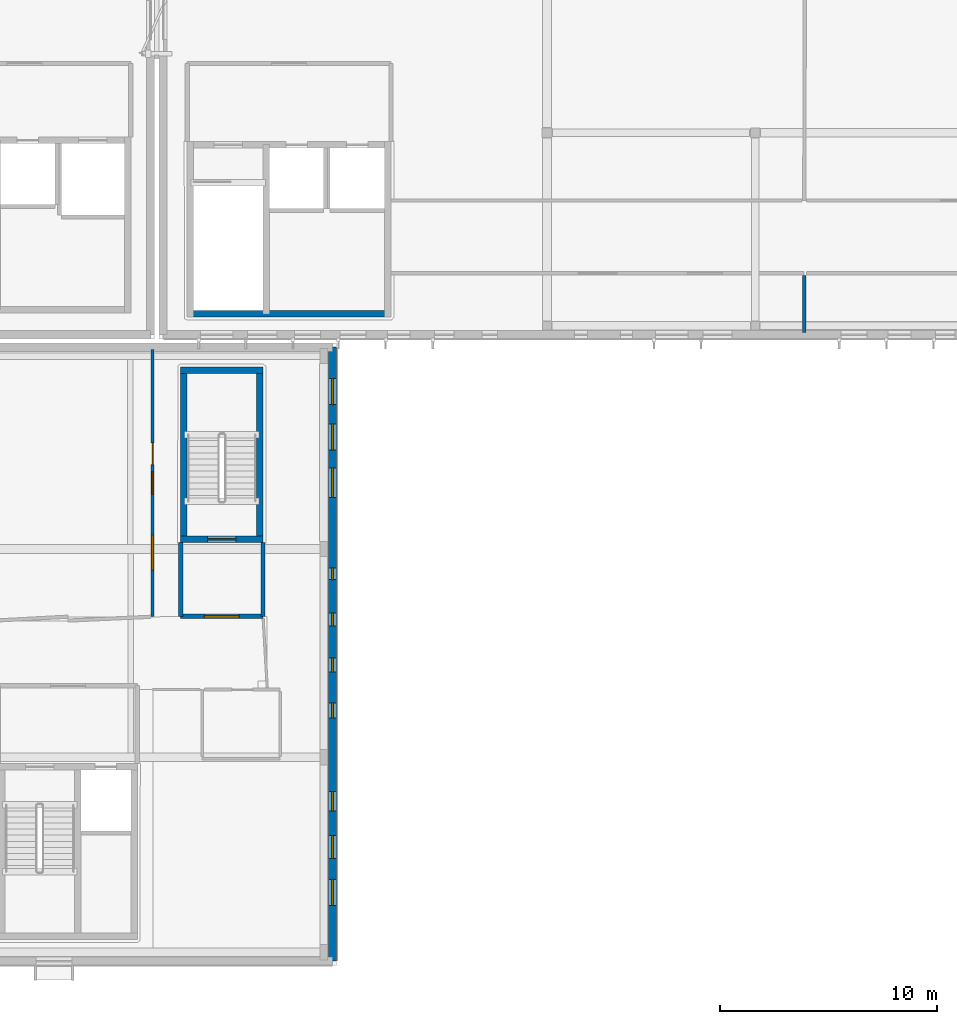
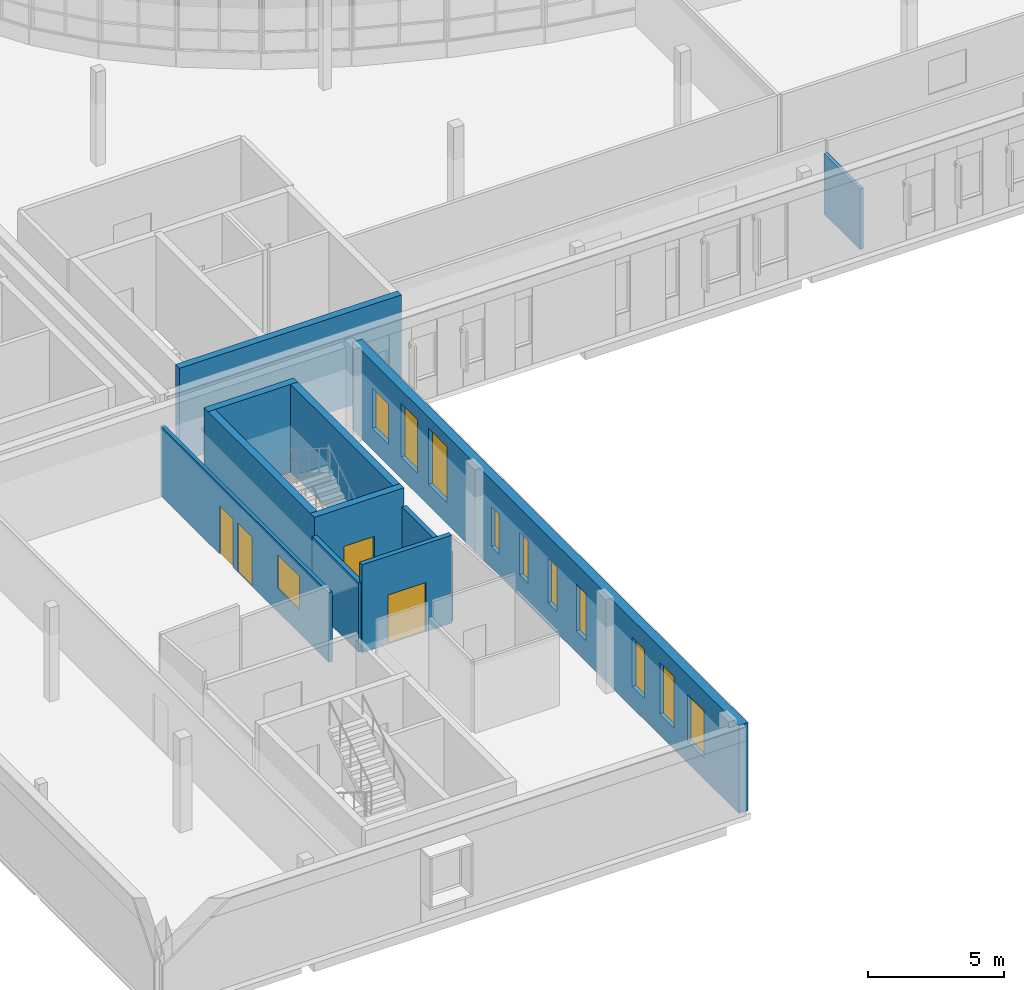
# One storey, part 38 of 73: 11 walls, 11 windows, 4 doors, 15 openings.
"""IFC4 building model written with IfcOpenShell, lengths in metres."""

import ifcopenshell
import ifcopenshell.guid

model = None  # the IFC model being written
_history = None  # IfcOwnerHistory: only IFC2X3 demands one
_inside = {}  # id of a spatial element -> (the spatial element, [elements in it])
_under = {}  # id of a project, library or spatial element -> (it, [spatial elements below it])
_declared = {}  # id of a project -> (the project, [libraries it declares])
_typed = {}  # id of a type object -> (the type object, [elements of that type])
_made_of = {}  # id of a material, layer set ... -> (it, [elements and type objects made of it])


def new_model(schema):
    """Start an empty IFC model of exactly this schema.

    Asked for "IFC4X3", IfcOpenShell would pick the latest addendum, in which some entities
    have other attributes; the version numbers below select the first issue.
    IFC2X3 requires an IfcOwnerHistory on every rooted entity: one is made here for all.
    """
    global model, _history
    if schema == "IFC4X3":
        model = ifcopenshell.file(schema_version=(4, 3, 0, 0))
    else:
        model = ifcopenshell.file(schema=schema)
    _inside.clear()
    _under.clear()
    _declared.clear()
    _typed.clear()
    _made_of.clear()
    _history = None
    if model.schema == "IFC2X3":
        org = make("IfcOrganization", Name="unknown")
        user = make(
            "IfcPersonAndOrganization",
            ThePerson=make("IfcPerson", FamilyName="unknown"),
            TheOrganization=org,
        )
        app = make(
            "IfcApplication",
            ApplicationDeveloper=org,
            Version="unknown",
            ApplicationFullName="unknown",
            ApplicationIdentifier="unknown",
        )
        _history = make(
            "IfcOwnerHistory",
            OwningUser=user,
            OwningApplication=app,
            ChangeAction="ADDED",
            CreationDate=0,
        )
    return model


def make(cls, **values):
    """One entity of the class cls with the attributes given. An attribute that is None is left unset."""
    return model.create_entity(
        cls, **{name: value for name, value in values.items() if value is not None}
    )


def rooted(cls, **values):
    """An entity with a GlobalId (a new one), such as an element, a storey or a relation."""
    return make(cls, GlobalId=ifcopenshell.guid.new(), OwnerHistory=_history, **values)


def si_unit(unit_type, name, prefix=None):
    """IfcSIUnit, for example si_unit("LENGTHUNIT", "METRE", prefix="MILLI")."""
    return make("IfcSIUnit", UnitType=unit_type, Prefix=prefix, Name=name)


def assignment(units):
    """IfcUnitAssignment: the units of a project."""
    return None if units is None else make("IfcUnitAssignment", Units=units)


def point(xyz):
    """IfcCartesianPoint."""
    return None if xyz is None else make("IfcCartesianPoint", Coordinates=xyz)


def direction(xyz):
    """IfcDirection."""
    return None if xyz is None else make("IfcDirection", DirectionRatios=xyz)


def frame(location, z_axis=None, x_axis=None):
    """IfcAxis2Placement3D, a coordinate frame: its origin and axes. An axis left out is left unset."""
    return make(
        "IfcAxis2Placement3D",
        Location=point(location),
        Axis=direction(z_axis),
        RefDirection=direction(x_axis),
    )


def frame_2d(location, x_axis=None):
    """IfcAxis2Placement2D, a coordinate frame in the plane: its origin and x axis."""
    return make(
        "IfcAxis2Placement2D", Location=point(location), RefDirection=direction(x_axis)
    )


def origin():
    """The frame at (0, 0, 0) with its axes left unset."""
    return frame((0.0, 0.0, 0.0))


def place(relative_to, where):
    """IfcLocalPlacement: puts the frame where relative to a parent placement (None: the world)."""
    return make(
        "IfcLocalPlacement", PlacementRelTo=relative_to, RelativePlacement=where
    )


def context(
    kind, dimensions, precision=None, world=None, true_north=None, identifier=None
):
    """IfcGeometricRepresentationContext, for example the 3D "Model" context."""
    return make(
        "IfcGeometricRepresentationContext",
        ContextIdentifier=identifier,
        ContextType=kind,
        CoordinateSpaceDimension=dimensions,
        Precision=precision,
        WorldCoordinateSystem=world,
        TrueNorth=true_north,
    )


def subcontext(parent, identifier, kind, view, scale=None):
    """IfcGeometricRepresentationSubContext, for example "Body" below "Model"."""
    return make(
        "IfcGeometricRepresentationSubContext",
        ContextIdentifier=identifier,
        ContextType=kind,
        ParentContext=parent,
        TargetScale=scale,
        TargetView=view,
    )


def project(units=None, contexts=None):
    """IfcProject with its units and contexts."""
    return rooted(
        "IfcProject",
        Name="project",
        RepresentationContexts=contexts,
        UnitsInContext=assignment(units),
    )


def spatial(cls, under=None, at=None, **own):
    """A site, building, storey or space (cls), placed at a placement, below another one or the project."""
    s = rooted(cls, ObjectPlacement=at, **own)
    if under is not None:
        _under.setdefault(under.id(), (under, []))[1].append(s)
    return s


def profile(cls, at=None, kind="AREA", **sizes):
    """A parametric profile (cls). Its sizes go by their IFC names, for example OverallWidth=200.0."""
    return make(cls, ProfileType=kind, Position=at, **sizes)


def rectangle(**sizes):
    """IfcRectangleProfileDef."""
    return profile("IfcRectangleProfileDef", **sizes)


def extrude(swept, where, along, depth):
    """IfcExtrudedAreaSolid: the profile swept, set in the frame where, extruded along a direction by depth."""
    return make(
        "IfcExtrudedAreaSolid",
        SweptArea=swept,
        Position=where,
        ExtrudedDirection=direction(along),
        Depth=depth,
    )


def shape(context_of_items, identifier, shape_type, items):
    """IfcShapeRepresentation: the items that make up one representation, for example the "Body"."""
    return make(
        "IfcShapeRepresentation",
        ContextOfItems=context_of_items,
        RepresentationIdentifier=identifier,
        RepresentationType=shape_type,
        Items=items,
    )


def material(Name=None, Category=None):
    """IfcMaterial."""
    return make("IfcMaterial", Name=Name, Category=Category)


def layer(
    of_material, thickness, ventilated=None, Name=None, Category=None, Priority=None
):
    """IfcMaterialLayer: one layer of a wall or slab, of a material (None: an air gap)."""
    return make(
        "IfcMaterialLayer",
        Material=of_material,
        LayerThickness=thickness,
        IsVentilated=ventilated,
        Name=Name,
        Category=Category,
        Priority=Priority,
    )


def layer_set(layers, Name=None):
    """IfcMaterialLayerSet."""
    return make("IfcMaterialLayerSet", MaterialLayers=layers, LayerSetName=Name)


def made_of(thing, what):
    """Note that an element or type object is made of a material, layer set ...; save() writes the relation."""
    if what is not None:
        _made_of.setdefault(what.id(), (what, []))[1].append(thing)
    return thing


def type_object(cls, material=None, **own):
    """A type object (cls), such as IfcWallType, which elements share."""
    return made_of(rooted(cls, **own), material)


def element(
    cls,
    number,
    at=None,
    inside=None,
    cuts=None,
    type_object=None,
    material=None,
    context=None,
    identifier="Body",
    shape_type=None,
    held_by="IfcProductDefinitionShape",
    body=None,
    shapes=None,
    **own,
):
    """One element of the class cls, such as IfcWall. Its Tag is "e" and its number.

    at: its placement. inside: the storey or other place that contains it. cuts: it is an
    opening in that element (IfcRelVoidsElement). A single representation is given by context,
    identifier, shape_type and body (its items); several are given by shapes. held_by: the class
    of the entity that holds the representations. save() writes the other relations.
    """
    e = rooted(cls, Tag="e%d" % number, ObjectPlacement=at, **own)
    if body is not None:
        shapes = [shape(context, identifier, shape_type, body)]
    if shapes is not None:
        e.Representation = make(held_by, Representations=shapes)
    if inside is not None:
        _inside.setdefault(inside.id(), (inside, []))[1].append(e)
    if cuts is not None:
        rooted(
            "IfcRelVoidsElement", RelatingBuildingElement=cuts, RelatedOpeningElement=e
        )
    if type_object is not None:
        _typed.setdefault(type_object.id(), (type_object, []))[1].append(e)
    return made_of(e, material)


def fill(opening, filler):
    """IfcRelFillsElement: the door or window that sits in an opening."""
    return rooted(
        "IfcRelFillsElement",
        RelatingOpeningElement=opening,
        RelatedBuildingElement=filler,
    )


def aggregate(whole, parts):
    """IfcRelAggregates: a whole, such as a stair, and the parts it consists of."""
    return rooted("IfcRelAggregates", RelatingObject=whole, RelatedObjects=parts)


def save(model, path):
    """Write the relations noted so far, then the file.

    IfcRelAggregates (storeys below a building ...), IfcRelContainedInSpatialStructure (elements
    in a storey), IfcRelDefinesByType, IfcRelAssociatesMaterial and IfcRelDeclares: one each for
    every whole, place, type object, material and project.
    """
    for whole, parts in _under.values():
        aggregate(whole, parts)
    for where, things in _inside.values():
        rooted(
            "IfcRelContainedInSpatialStructure",
            RelatedElements=things,
            RelatingStructure=where,
        )
    for kind, things in _typed.values():
        rooted("IfcRelDefinesByType", RelatedObjects=things, RelatingType=kind)
    for what, things in _made_of.values():
        rooted("IfcRelAssociatesMaterial", RelatedObjects=things, RelatingMaterial=what)
    for by, libraries in _declared.values():
        rooted("IfcRelDeclares", RelatingContext=by, RelatedDefinitions=libraries)
    model.write(path)


model = new_model("IFC4")

# Units and contexts
model_context = context("Model", 3, precision=1e-05, world=origin(), true_north=direction((0.0, 1.0)))
body_context = subcontext(model_context, "Body", "Model", "MODEL_VIEW")
ifc_project = project(units=[si_unit("LENGTHUNIT", "METRE"), si_unit("AREAUNIT", "SQUARE_METRE"), si_unit("VOLUMEUNIT", "CUBIC_METRE"), si_unit("PLANEANGLEUNIT", "RADIAN"), si_unit("MASSUNIT", "GRAM", prefix="KILO")], contexts=[model_context])

# Site, building, storey
site_placement = place(None, origin())
site = spatial("IfcSite", under=ifc_project, at=site_placement, CompositionType="ELEMENT")
building_placement = place(site_placement, origin())
building = spatial("IfcBuilding", under=site, at=building_placement, Name="Mzevani Central Library", CompositionType="ELEMENT")
storey_placement = place(building_placement, frame((0.0, 0.0, 9.60009765625)))
storey = spatial("IfcBuildingStorey", under=building, at=storey_placement, Name="L02", CompositionType="ELEMENT", Elevation=9.60009765625)

# Wall
ifc_material_1 = material(Name="Concrete C35/45", Category="concrete")
ifc_layer_1 = layer(ifc_material_1, 0.199951171875, Name="Compartment Wall 200")
ifc_layer_set_1 = layer_set([ifc_layer_1], Name="Concrete C35/45")
wall_type_1 = type_object("IfcWallType", Name="Compartment Wall 200", PredefinedType="STANDARD", material=ifc_layer_set_1)
wall_1_placement = place(storey_placement, frame((47.10009765625, 33.10009765625, 0.0), z_axis=(0.0, 0.0, 1.0), x_axis=(0.0, -1.0, 0.0)))
element("IfcWall", 1, at=wall_1_placement, inside=storey, type_object=wall_type_1, Name="L02 Stair Vestibule C4B Enclosure Wall 1", PredefinedType="STANDARD", context=body_context, shape_type="SweptSolid", body=[
    extrude(rectangle(XDim=3.400146484375, YDim=0.199951171875, at=frame_2d((1.7001953125, 0.0))), origin(), (0.0, 0.0, 1.0), 3.119873046875),
])

# Wall, opening, door
wall_2_placement = place(storey_placement, frame((47.10009765625, 29.699951171875, 0.0), z_axis=(0.0, 0.0, 1.0), x_axis=(1.0, 0.0, 0.0)))
wall_2 = element("IfcWall", 2, at=wall_2_placement, inside=storey, type_object=wall_type_1, Name="L02 Stair Vestibule C4B Enclosure Wall 2", PredefinedType="STANDARD", context=body_context, shape_type="SweptSolid", body=[
    extrude(rectangle(XDim=3.7998046875, YDim=0.199951171875, at=frame_2d((1.89990234375, 0.0))), origin(), (0.0, 0.0, 1.0), 3.93994140625),
])
opening_1_placement = place(wall_2_placement, frame((1.10009765625, 0.0, 0.0)))
opening_1 = element("IfcOpeningElement", 3, at=opening_1_placement, cuts=wall_2, Name="Opening FD-02", PredefinedType="OPENING", context=body_context, shape_type="SweptSolid", body=[
    extrude(rectangle(XDim=1.60009765625, YDim=2.199951171875, at=frame_2d((0.800048828125, 1.10009765625))), frame((0.0, 0.10986328125, 0.0), z_axis=(0.0, -1.0, 0.0), x_axis=(1.0, 0.0, 0.0)), (0.0, 0.0, 1.0), 0.219970703125),
])
ifc_material_2 = material(Name="Fire-rated steel door assembly", Category="steel")
door_type_1 = type_object("IfcDoorType", Name="Fire Lobby Double Door 1600x2200", OperationType="NOTDEFINED", PredefinedType="DOOR", material=ifc_material_2)
door_1_placement = place(opening_1_placement, origin())
door_1 = element("IfcDoor", 4, at=door_1_placement, inside=storey, type_object=door_type_1, Name="L02 Stair Vestibule C4B Smoke-Control Door", OperationType="DOUBLE_DOOR_SINGLE_SWING", OverallHeight=2.199951171875, OverallWidth=1.60009765625, PredefinedType="DOOR", context=body_context, shape_type="SweptSolid", body=[
    extrude(rectangle(XDim=1.60009765625, YDim=2.199951171875, at=frame_2d((0.800048828125, 1.10009765625))), frame((0.0, 0.02490234375, 0.0), z_axis=(0.0, -1.0, 0.0), x_axis=(1.0, 0.0, 0.0)), (0.0, 0.0, 1.0), 0.050048828125),
])
fill(opening_1, door_1)

# Walls
wall_3_placement = place(storey_placement, frame((50.89990234375, 29.699951171875, 0.0), z_axis=(0.0, 0.0, 1.0), x_axis=(0.0, 1.0, 0.0)))
element("IfcWall", 5, at=wall_3_placement, inside=storey, type_object=wall_type_1, Name="L02 Stair Vestibule C4B Enclosure Wall 3", PredefinedType="STANDARD", context=body_context, shape_type="SweptSolid", body=[
    extrude(rectangle(XDim=3.400146484375, YDim=0.199951171875, at=frame_2d((1.7001953125, 0.0))), origin(), (0.0, 0.0, 1.0), 3.119873046875),
])
ifc_material_3 = material(Name="Concrete C40/50", Category="concrete")
ifc_layer_2 = layer(ifc_material_3, 0.300048828125, Name="Core Shear Wall 300")
ifc_layer_set_2 = layer_set([ifc_layer_2], Name="Concrete C40/50")
wall_type_2 = type_object("IfcWallType", Name="Core Shear Wall 300", PredefinedType="SHEAR", material=ifc_layer_set_2)
wall_4_placement = place(storey_placement, frame((56.800048828125, 43.64990234375, 0.0), z_axis=(0.0, 0.0, 1.0), x_axis=(-1.0, 0.0, 0.0)))
element("IfcWall", 6, at=wall_4_placement, inside=storey, type_object=wall_type_2, Name="L02 Core C1A Reading Hall West Shear Wall (-y)", PredefinedType="SHEAR", context=body_context, shape_type="SweptSolid", body=[
    extrude(rectangle(XDim=9.400146484375, YDim=0.300048828125, at=frame_2d((4.7001953125, 0.0))), origin(), (0.0, 0.0, 1.0), 4.199951171875),
])

# Wall, opening, door
wall_5_placement = place(storey_placement, frame((50.89990234375, 33.25, 0.0), z_axis=(0.0, 0.0, 1.0), x_axis=(-1.0, 0.0, 0.0)))
wall_5 = element("IfcWall", 7, at=wall_5_placement, inside=storey, type_object=wall_type_2, Name="L02 Core C4B Square South Escape Stair Shear Wall (-y)", PredefinedType="SHEAR", context=body_context, shape_type="SweptSolid", body=[
    extrude(rectangle(XDim=3.7998046875, YDim=0.300048828125, at=frame_2d((1.89990234375, 0.0))), origin(), (0.0, 0.0, 1.0), 3.93994140625),
])
opening_2_placement = place(wall_5_placement, frame((1.25, 0.0, 0.0)))
opening_2 = element("IfcOpeningElement", 8, at=opening_2_placement, cuts=wall_5, Name="Opening FD-01", PredefinedType="OPENING", context=body_context, shape_type="SweptSolid", body=[
    extrude(rectangle(XDim=1.300048828125, YDim=2.199951171875, at=frame_2d((0.64990234375, 1.10009765625))), frame((0.0, 0.16015625, 0.0), z_axis=(0.0, -1.0, 0.0), x_axis=(1.0, 0.0, 0.0)), (0.0, 0.0, 1.0), 0.320068359375),
])
door_type_2 = type_object("IfcDoorType", Name="Fire Stair Door 1300x2200", OperationType="NOTDEFINED", PredefinedType="DOOR", material=ifc_material_2)
door_2_placement = place(opening_2_placement, origin())
door_2 = element("IfcDoor", 9, at=door_2_placement, inside=storey, type_object=door_type_2, Name="L02 ST-08 Protected Exit Stair Door", OperationType="SINGLE_SWING_RIGHT", OverallHeight=2.199951171875, OverallWidth=1.300048828125, PredefinedType="DOOR", context=body_context, shape_type="SweptSolid", body=[
    extrude(rectangle(XDim=1.300048828125, YDim=2.199951171875, at=frame_2d((0.64990234375, 1.10009765625))), frame((0.0, 0.02490234375, 0.0), z_axis=(0.0, -1.0, 0.0), x_axis=(1.0, 0.0, 0.0)), (0.0, 0.0, 1.0), 0.050048828125),
])
fill(opening_2, door_2)

# Walls
wall_6_placement = place(storey_placement, frame((47.25, 33.10009765625, 0.0), z_axis=(0.0, 0.0, 1.0), x_axis=(0.0, 1.0, 0.0)))
element("IfcWall", 10, at=wall_6_placement, inside=storey, type_object=wall_type_2, Name="L02 Core C4B Square South Escape Stair Shear Wall (-x)", PredefinedType="SHEAR", context=body_context, shape_type="SweptSolid", body=[
    extrude(rectangle(XDim=8.099853515625, YDim=0.300048828125, at=frame_2d((4.0498046875, 0.0))), origin(), (0.0, 0.0, 1.0), 3.93994140625),
])
wall_7_placement = place(storey_placement, frame((47.10009765625, 41.050048828125, 0.0), z_axis=(0.0, 0.0, 1.0), x_axis=(1.0, 0.0, 0.0)))
element("IfcWall", 11, at=wall_7_placement, inside=storey, type_object=wall_type_2, Name="L02 Core C4B Square South Escape Stair Shear Wall (+y)", PredefinedType="SHEAR", context=body_context, shape_type="SweptSolid", body=[
    extrude(rectangle(XDim=3.7998046875, YDim=0.300048828125, at=frame_2d((1.89990234375, 0.0))), origin(), (0.0, 0.0, 1.0), 3.93994140625),
])
wall_8_placement = place(storey_placement, frame((50.75, 41.199951171875, 0.0), z_axis=(0.0, 0.0, 1.0), x_axis=(0.0, -1.0, 0.0)))
element("IfcWall", 12, at=wall_8_placement, inside=storey, type_object=wall_type_2, Name="L02 Core C4B Square South Escape Stair Shear Wall (+x)", PredefinedType="SHEAR", context=body_context, shape_type="SweptSolid", body=[
    extrude(rectangle(XDim=8.099853515625, YDim=0.300048828125, at=frame_2d((4.0498046875, 0.0))), origin(), (0.0, 0.0, 1.0), 3.93994140625),
])

# Wall, openings, windows
ifc_material_4 = material(Name="Precast concrete C40/50", Category="concrete")
ifc_layer_3 = layer(ifc_material_4, 0.3798828125, Name="Exterior Thermal Concrete Wall 380")
ifc_layer_set_3 = layer_set([ifc_layer_3], Name="Precast concrete C40/50")
wall_type_3 = type_object("IfcWallType", Name="Exterior Thermal Concrete Wall 380", PredefinedType="STANDARD", material=ifc_layer_set_3)
wall_9_placement = place(storey_placement, frame((54.110107421875, 42.110107421875, 0.0), z_axis=(0.0, 0.0, 1.0), x_axis=(0.0, -1.0, 0.0)))
wall_9 = element("IfcWall", 13, at=wall_9_placement, inside=storey, type_object=wall_type_3, Name="L02 V4 Exterior Thermal Wall (83)", PredefinedType="STANDARD", context=body_context, shape_type="SweptSolid", body=[
    extrude(rectangle(XDim=28.320068359375, YDim=0.3798828125, at=frame_2d((14.16015625, 0.0))), origin(), (0.0, 0.0, 1.0), 3.93994140625),
])
opening_3_placement = place(wall_9_placement, frame((1.449951171875, 0.0, 0.949951171875)))
opening_3 = element("IfcOpeningElement", 14, at=opening_3_placement, cuts=wall_9, Name="Opening W-05", PredefinedType="OPENING", context=body_context, shape_type="SweptSolid", body=[
    extrude(rectangle(XDim=1.199951171875, YDim=1.800048828125, at=frame_2d((0.60009765625, 0.89990234375))), frame((0.0, 0.199951171875, 0.0), z_axis=(0.0, -1.0, 0.0), x_axis=(1.0, 0.0, 0.0)), (0.0, 0.0, 1.0), 0.39990234375),
])
opening_4_placement = place(wall_9_placement, frame((3.550048828125, 0.0, 0.949951171875)))
opening_4 = element("IfcOpeningElement", 15, at=opening_4_placement, cuts=wall_9, Name="Opening W-07", PredefinedType="OPENING", context=body_context, shape_type="SweptSolid", body=[
    extrude(rectangle(XDim=1.199951171875, YDim=2.39990234375, at=frame_2d((0.60009765625, 1.199951171875))), frame((0.0, 0.199951171875, 0.0), z_axis=(0.0, -1.0, 0.0), x_axis=(1.0, 0.0, 0.0)), (0.0, 0.0, 1.0), 0.39990234375),
])
opening_5_placement = place(wall_9_placement, frame((5.574951171875, 0.0, 0.949951171875)))
opening_5 = element("IfcOpeningElement", 16, at=opening_5_placement, cuts=wall_9, Name="Opening W-09", PredefinedType="OPENING", context=body_context, shape_type="SweptSolid", body=[
    extrude(rectangle(XDim=1.35009765625, YDim=2.5, at=frame_2d((0.675048828125, 1.25))), frame((0.0, 0.199951171875, 0.0), z_axis=(0.0, -1.0, 0.0), x_axis=(1.0, 0.0, 0.0)), (0.0, 0.0, 1.0), 0.39990234375),
])
opening_6_placement = place(wall_9_placement, frame((10.175048828125, 0.0, 0.949951171875)))
opening_6 = element("IfcOpeningElement", 17, at=opening_6_placement, cuts=wall_9, Name="Opening WS-01", PredefinedType="OPENING", context=body_context, shape_type="SweptSolid", body=[
    extrude(rectangle(XDim=0.550048828125, YDim=1.800048828125, at=frame_2d((0.27490234375, 0.89990234375))), frame((0.0, 0.199951171875, 0.0), z_axis=(0.0, -1.0, 0.0), x_axis=(1.0, 0.0, 0.0)), (0.0, 0.0, 1.0), 0.39990234375),
])
opening_7_placement = place(wall_9_placement, frame((12.25, 0.0, 0.949951171875)))
opening_7 = element("IfcOpeningElement", 18, at=opening_7_placement, cuts=wall_9, Name="Opening WS-03", PredefinedType="OPENING", context=body_context, shape_type="SweptSolid", body=[
    extrude(rectangle(XDim=0.60009765625, YDim=1.89990234375, at=frame_2d((0.300048828125, 0.949951171875))), frame((0.0, 0.199951171875, 0.0), z_axis=(0.0, -1.0, 0.0), x_axis=(1.0, 0.0, 0.0)), (0.0, 0.0, 1.0), 0.39990234375),
])
opening_8_placement = place(wall_9_placement, frame((14.324951171875, 0.0, 0.949951171875)))
opening_8 = element("IfcOpeningElement", 19, at=opening_8_placement, cuts=wall_9, Name="Opening WS-05", PredefinedType="OPENING", context=body_context, shape_type="SweptSolid", body=[
    extrude(rectangle(XDim=0.64990234375, YDim=2.0, at=frame_2d((0.324951171875, 1.0))), frame((0.0, 0.199951171875, 0.0), z_axis=(0.0, -1.0, 0.0), x_axis=(1.0, 0.0, 0.0)), (0.0, 0.0, 1.0), 0.39990234375),
])
opening_9_placement = place(wall_9_placement, frame((16.39990234375, 0.0, 0.949951171875)))
opening_9 = element("IfcOpeningElement", 20, at=opening_9_placement, cuts=wall_9, Name="Opening WS-07", PredefinedType="OPENING", context=body_context, shape_type="SweptSolid", body=[
    extrude(rectangle(XDim=0.699951171875, YDim=2.10009765625, at=frame_2d((0.35009765625, 1.050048828125))), frame((0.0, 0.199951171875, 0.0), z_axis=(0.0, -1.0, 0.0), x_axis=(1.0, 0.0, 0.0)), (0.0, 0.0, 1.0), 0.39990234375),
])
opening_10_placement = place(wall_9_placement, frame((20.5, 0.0, 0.949951171875)))
opening_10 = element("IfcOpeningElement", 21, at=opening_10_placement, cuts=wall_9, Name="Opening W-02", PredefinedType="OPENING", context=body_context, shape_type="SweptSolid", body=[
    extrude(rectangle(XDim=0.89990234375, YDim=2.199951171875, at=frame_2d((0.449951171875, 1.10009765625))), frame((0.0, 0.199951171875, 0.0), z_axis=(0.0, -1.0, 0.0), x_axis=(1.0, 0.0, 0.0)), (0.0, 0.0, 1.0), 0.39990234375),
])
opening_11_placement = place(wall_9_placement, frame((22.52490234375, 0.0, 0.949951171875)))
opening_11 = element("IfcOpeningElement", 22, at=opening_11_placement, cuts=wall_9, Name="Opening W-04", PredefinedType="OPENING", context=body_context, shape_type="SweptSolid", body=[
    extrude(rectangle(XDim=1.050048828125, YDim=2.300048828125, at=frame_2d((0.52490234375, 1.14990234375))), frame((0.0, 0.199951171875, 0.0), z_axis=(0.0, -1.0, 0.0), x_axis=(1.0, 0.0, 0.0)), (0.0, 0.0, 1.0), 0.39990234375),
])
opening_12_placement = place(wall_9_placement, frame((24.550048828125, 0.0, 0.949951171875)))
opening_12 = element("IfcOpeningElement", 23, at=opening_12_placement, cuts=wall_9, Name="Opening W-06", PredefinedType="OPENING", context=body_context, shape_type="SweptSolid", body=[
    extrude(rectangle(XDim=1.199951171875, YDim=2.10009765625, at=frame_2d((0.60009765625, 1.050048828125))), frame((0.0, 0.199951171875, 0.0), z_axis=(0.0, -1.0, 0.0), x_axis=(1.0, 0.0, 0.0)), (0.0, 0.0, 1.0), 0.39990234375),
])
ifc_material_5 = material(Name="Low-E triple glazing glass", Category="glass")
window_type_1 = type_object("IfcWindowType", Name="Archive Slot Window 550x1800", PartitioningType="SINGLE_PANEL", PredefinedType="WINDOW", material=ifc_material_5)
window_1_placement = place(opening_6_placement, origin())
window_1 = element("IfcWindow", 24, at=window_1_placement, inside=storey, type_object=window_type_1, Name="L02 V4 Courtyard/Colonnade Window WS-01 (168)", OverallHeight=1.800048828125, OverallWidth=0.550048828125, PartitioningType="SINGLE_PANEL", PredefinedType="WINDOW", context=body_context, shape_type="SweptSolid", body=[
    extrude(rectangle(XDim=0.550048828125, YDim=1.800048828125, at=frame_2d((0.27490234375, 0.89990234375))), frame((0.0, 0.030029296875, 0.0), z_axis=(0.0, -1.0, 0.0), x_axis=(1.0, 0.0, 0.0)), (0.0, 0.0, 1.0), 0.06005859375),
])
fill(opening_6, window_1)
window_type_2 = type_object("IfcWindowType", Name="Archive Slot Window 600x1900", PartitioningType="SINGLE_PANEL", PredefinedType="WINDOW", material=ifc_material_5)
window_2_placement = place(opening_7_placement, origin())
window_2 = element("IfcWindow", 25, at=window_2_placement, inside=storey, type_object=window_type_2, Name="L02 V4 Courtyard/Colonnade Window WS-03 (169)", OverallHeight=1.89990234375, OverallWidth=0.60009765625, PartitioningType="SINGLE_PANEL", PredefinedType="WINDOW", context=body_context, shape_type="SweptSolid", body=[
    extrude(rectangle(XDim=0.60009765625, YDim=1.89990234375, at=frame_2d((0.300048828125, 0.949951171875))), frame((0.0, 0.030029296875, 0.0), z_axis=(0.0, -1.0, 0.0), x_axis=(1.0, 0.0, 0.0)), (0.0, 0.0, 1.0), 0.06005859375),
])
fill(opening_7, window_2)
window_type_3 = type_object("IfcWindowType", Name="Archive Slot Window 650x2000", PartitioningType="SINGLE_PANEL", PredefinedType="WINDOW", material=ifc_material_5)
window_3_placement = place(opening_8_placement, origin())
window_3 = element("IfcWindow", 26, at=window_3_placement, inside=storey, type_object=window_type_3, Name="L02 V4 Courtyard/Colonnade Window WS-05 (170)", OverallHeight=2.0, OverallWidth=0.64990234375, PartitioningType="SINGLE_PANEL", PredefinedType="WINDOW", context=body_context, shape_type="SweptSolid", body=[
    extrude(rectangle(XDim=0.64990234375, YDim=2.0, at=frame_2d((0.324951171875, 1.0))), frame((0.0, 0.030029296875, 0.0), z_axis=(0.0, -1.0, 0.0), x_axis=(1.0, 0.0, 0.0)), (0.0, 0.0, 1.0), 0.06005859375),
])
fill(opening_8, window_3)
window_type_4 = type_object("IfcWindowType", Name="Archive Slot Window 700x2100", PartitioningType="SINGLE_PANEL", PredefinedType="WINDOW", material=ifc_material_5)
window_4_placement = place(opening_9_placement, origin())
window_4 = element("IfcWindow", 27, at=window_4_placement, inside=storey, type_object=window_type_4, Name="L02 V4 Courtyard/Colonnade Window WS-07 (171)", OverallHeight=2.10009765625, OverallWidth=0.699951171875, PartitioningType="SINGLE_PANEL", PredefinedType="WINDOW", context=body_context, shape_type="SweptSolid", body=[
    extrude(rectangle(XDim=0.699951171875, YDim=2.10009765625, at=frame_2d((0.35009765625, 1.050048828125))), frame((0.0, 0.030029296875, 0.0), z_axis=(0.0, -1.0, 0.0), x_axis=(1.0, 0.0, 0.0)), (0.0, 0.0, 1.0), 0.06005859375),
])
fill(opening_9, window_4)
window_type_5 = type_object("IfcWindowType", Name="Deep Reveal Window 1050x2300", PartitioningType="SINGLE_PANEL", PredefinedType="WINDOW", material=ifc_material_5)
window_5_placement = place(opening_11_placement, origin())
window_5 = element("IfcWindow", 28, at=window_5_placement, inside=storey, type_object=window_type_5, Name="L02 V4 Courtyard/Colonnade Window W-04 (173)", OverallHeight=2.300048828125, OverallWidth=1.050048828125, PartitioningType="SINGLE_PANEL", PredefinedType="WINDOW", context=body_context, shape_type="SweptSolid", body=[
    extrude(rectangle(XDim=1.050048828125, YDim=2.300048828125, at=frame_2d((0.52490234375, 1.14990234375))), frame((0.0, 0.030029296875, 0.0), z_axis=(0.0, -1.0, 0.0), x_axis=(1.0, 0.0, 0.0)), (0.0, 0.0, 1.0), 0.06005859375),
])
fill(opening_11, window_5)
window_type_6 = type_object("IfcWindowType", Name="Deep Reveal Window 1200x1800", PartitioningType="SINGLE_PANEL", PredefinedType="WINDOW", material=ifc_material_5)
window_6_placement = place(opening_3_placement, origin())
window_6 = element("IfcWindow", 29, at=window_6_placement, inside=storey, type_object=window_type_6, Name="L02 V4 Courtyard/Colonnade Window W-05 (165)", OverallHeight=1.800048828125, OverallWidth=1.199951171875, PartitioningType="SINGLE_PANEL", PredefinedType="WINDOW", context=body_context, shape_type="SweptSolid", body=[
    extrude(rectangle(XDim=1.199951171875, YDim=1.800048828125, at=frame_2d((0.60009765625, 0.89990234375))), frame((0.0, 0.030029296875, 0.0), z_axis=(0.0, -1.0, 0.0), x_axis=(1.0, 0.0, 0.0)), (0.0, 0.0, 1.0), 0.06005859375),
])
fill(opening_3, window_6)
window_type_7 = type_object("IfcWindowType", Name="Deep Reveal Window 1200x2100", PartitioningType="SINGLE_PANEL", PredefinedType="WINDOW", material=ifc_material_5)
window_7_placement = place(opening_12_placement, origin())
window_7 = element("IfcWindow", 30, at=window_7_placement, inside=storey, type_object=window_type_7, Name="L02 V4 Courtyard/Colonnade Window W-06 (174)", OverallHeight=2.10009765625, OverallWidth=1.199951171875, PartitioningType="SINGLE_PANEL", PredefinedType="WINDOW", context=body_context, shape_type="SweptSolid", body=[
    extrude(rectangle(XDim=1.199951171875, YDim=2.10009765625, at=frame_2d((0.60009765625, 1.050048828125))), frame((0.0, 0.030029296875, 0.0), z_axis=(0.0, -1.0, 0.0), x_axis=(1.0, 0.0, 0.0)), (0.0, 0.0, 1.0), 0.06005859375),
])
fill(opening_12, window_7)
window_type_8 = type_object("IfcWindowType", Name="Deep Reveal Window 1200x2400", PartitioningType="SINGLE_PANEL", PredefinedType="WINDOW", material=ifc_material_5)
window_8_placement = place(opening_4_placement, origin())
window_8 = element("IfcWindow", 31, at=window_8_placement, inside=storey, type_object=window_type_8, Name="L02 V4 Courtyard/Colonnade Window W-07 (166)", OverallHeight=2.39990234375, OverallWidth=1.199951171875, PartitioningType="SINGLE_PANEL", PredefinedType="WINDOW", context=body_context, shape_type="SweptSolid", body=[
    extrude(rectangle(XDim=1.199951171875, YDim=2.39990234375, at=frame_2d((0.60009765625, 1.199951171875))), frame((0.0, 0.030029296875, 0.0), z_axis=(0.0, -1.0, 0.0), x_axis=(1.0, 0.0, 0.0)), (0.0, 0.0, 1.0), 0.06005859375),
])
fill(opening_4, window_8)
window_type_9 = type_object("IfcWindowType", Name="Deep Reveal Window 1350x2500", PartitioningType="SINGLE_PANEL", PredefinedType="WINDOW", material=ifc_material_5)
window_9_placement = place(opening_5_placement, origin())
window_9 = element("IfcWindow", 32, at=window_9_placement, inside=storey, type_object=window_type_9, Name="L02 V4 Courtyard/Colonnade Window W-09 (167)", OverallHeight=2.5, OverallWidth=1.35009765625, PartitioningType="SINGLE_PANEL", PredefinedType="WINDOW", context=body_context, shape_type="SweptSolid", body=[
    extrude(rectangle(XDim=1.35009765625, YDim=2.5, at=frame_2d((0.675048828125, 1.25))), frame((0.0, 0.030029296875, 0.0), z_axis=(0.0, -1.0, 0.0), x_axis=(1.0, 0.0, 0.0)), (0.0, 0.0, 1.0), 0.06005859375),
])
fill(opening_5, window_9)
window_type_10 = type_object("IfcWindowType", Name="Deep Reveal Window 900x2200", PartitioningType="SINGLE_PANEL", PredefinedType="WINDOW", material=ifc_material_5)
window_10_placement = place(opening_10_placement, origin())
window_10 = element("IfcWindow", 33, at=window_10_placement, inside=storey, type_object=window_type_10, Name="L02 V4 Courtyard/Colonnade Window W-02 (172)", OverallHeight=2.199951171875, OverallWidth=0.89990234375, PartitioningType="SINGLE_PANEL", PredefinedType="WINDOW", context=body_context, shape_type="SweptSolid", body=[
    extrude(rectangle(XDim=0.89990234375, YDim=2.199951171875, at=frame_2d((0.449951171875, 1.10009765625))), frame((0.0, 0.030029296875, 0.0), z_axis=(0.0, -1.0, 0.0), x_axis=(1.0, 0.0, 0.0)), (0.0, 0.0, 1.0), 0.06005859375),
])
fill(opening_10, window_10)

# Wall
ifc_material_6 = material(Name="Fire-rated gypsum board", Category="gypsum")
ifc_layer_4 = layer(ifc_material_6, 0.14990234375, Name="Partition Study 150")
ifc_layer_set_4 = layer_set([ifc_layer_4], Name="Fire-rated gypsum board")
wall_type_4 = type_object("IfcWallType", Name="Partition Study 150", PredefinedType="PARTITIONING", material=ifc_layer_set_4)
wall_10_placement = place(storey_placement, frame((75.864990234375, 45.419921875, 0.0), z_axis=(0.0, 0.0, 1.0), x_axis=(0.0, -1.0, 0.0)))
element("IfcWall", 34, at=wall_10_placement, inside=storey, type_object=wall_type_4, Name="L02 V1 Partition IW-03 (370)", PredefinedType="PARTITIONING", context=body_context, shape_type="SweptSolid", body=[
    extrude(rectangle(XDim=2.6298828125, YDim=0.14990234375, at=frame_2d((1.31494140625, 0.0))), origin(), (0.0, 0.0, 1.0), 2.71484375),
])

# Wall, openings, window, doors
wall_11_placement = place(storey_placement, frame((45.806640625, 42.010009765625, 0.0), z_axis=(0.0, 0.0, 1.0), x_axis=(0.0, -1.0, 0.0)))
wall_11 = element("IfcWall", 35, at=wall_11_placement, inside=storey, type_object=wall_type_4, Name="L02 V4 Partition IW-03 (463)", PredefinedType="PARTITIONING", context=body_context, shape_type="SweptSolid", body=[
    extrude(rectangle(XDim=12.330078125, YDim=0.14990234375, at=frame_2d((6.1650390625, 0.0))), origin(), (0.0, 0.0, 1.0), 3.119873046875),
])
opening_13_placement = place(wall_11_placement, frame((5.639892578125, 0.0, 0.0)))
opening_13 = element("IfcOpeningElement", 36, at=opening_13_placement, cuts=wall_11, Name="Opening ID-07", PredefinedType="OPENING", context=body_context, shape_type="SweptSolid", body=[
    extrude(rectangle(XDim=1.050048828125, YDim=2.199951171875, at=frame_2d((0.52490234375, 1.10009765625))), frame((0.0, 0.0849609375, 0.0), z_axis=(0.0, -1.0, 0.0), x_axis=(1.0, 0.0, 0.0)), (0.0, 0.0, 1.0), 0.169921875),
])
opening_14_placement = place(wall_11_placement, frame((8.57080078125, 0.0, 1.050048828125)))
opening_14 = element("IfcOpeningElement", 37, at=opening_14_placement, cuts=wall_11, Name="Opening IW-W01", PredefinedType="OPENING", context=body_context, shape_type="SweptSolid", body=[
    extrude(rectangle(XDim=1.60009765625, YDim=1.5, at=frame_2d((0.800048828125, 0.75))), frame((0.0, 0.0849609375, 0.0), z_axis=(0.0, -1.0, 0.0), x_axis=(1.0, 0.0, 0.0)), (0.0, 0.0, 1.0), 0.169921875),
])
opening_15_placement = place(wall_11_placement, frame((4.31494140625, 0.0, 0.0)))
opening_15 = element("IfcOpeningElement", 38, at=opening_15_placement, cuts=wall_11, Name="Opening ID-04", PredefinedType="OPENING", context=body_context, shape_type="SweptSolid", body=[
    extrude(rectangle(XDim=1.0, YDim=2.14990234375, at=frame_2d((0.5, 1.074951171875))), frame((0.0, 0.0849609375, 0.0), z_axis=(0.0, -1.0, 0.0), x_axis=(1.0, 0.0, 0.0)), (0.0, 0.0, 1.0), 0.169921875),
])
window_type_11 = type_object("IfcWindowType", Name="Interior Borrowed Light 1600x1500", PartitioningType="SINGLE_PANEL", PredefinedType="WINDOW", material=ifc_material_5)
window_11_placement = place(opening_14_placement, origin())
window_11 = element("IfcWindow", 39, at=window_11_placement, inside=storey, type_object=window_type_11, Name="L02 Graphic Design and Printing Studio Acoustic Borrowed Light", OverallHeight=1.5, OverallWidth=1.60009765625, PartitioningType="SINGLE_PANEL", PredefinedType="WINDOW", context=body_context, shape_type="SweptSolid", body=[
    extrude(rectangle(XDim=1.60009765625, YDim=1.5, at=frame_2d((0.800048828125, 0.75))), frame((0.0, 0.030029296875, 0.0), z_axis=(0.0, -1.0, 0.0), x_axis=(1.0, 0.0, 0.0)), (0.0, 0.0, 1.0), 0.06005859375),
])
fill(opening_14, window_11)
ifc_material_7 = material(Name="Fire-rated solid oak leaf")
door_type_3 = type_object("IfcDoorType", Name="Maker Studio Door 1050x2200", OperationType="NOTDEFINED", PredefinedType="DOOR", material=ifc_material_7)
door_3_placement = place(opening_13_placement, origin())
door_3 = element("IfcDoor", 40, at=door_3_placement, inside=storey, type_object=door_type_3, Name="L02 Graphic Design and Printing Studio Door", OperationType="SINGLE_SWING_RIGHT", OverallHeight=2.199951171875, OverallWidth=1.050048828125, PredefinedType="DOOR", context=body_context, shape_type="SweptSolid", body=[
    extrude(rectangle(XDim=1.050048828125, YDim=2.199951171875, at=frame_2d((0.52490234375, 1.10009765625))), frame((0.0, 0.02490234375, 0.0), z_axis=(0.0, -1.0, 0.0), x_axis=(1.0, 0.0, 0.0)), (0.0, 0.0, 1.0), 0.050048828125),
])
fill(opening_13, door_3)
door_type_4 = type_object("IfcDoorType", Name="Staff Office Door 1000x2150", OperationType="NOTDEFINED", PredefinedType="DOOR", material=ifc_material_7)
door_4_placement = place(opening_15_placement, origin())
door_4 = element("IfcDoor", 41, at=door_4_placement, inside=storey, type_object=door_type_4, Name="L02 Public Outreach Administration Office Door", OperationType="SINGLE_SWING_LEFT", OverallHeight=2.14990234375, OverallWidth=1.0, PredefinedType="DOOR", context=body_context, shape_type="SweptSolid", body=[
    extrude(rectangle(XDim=1.0, YDim=2.14990234375, at=frame_2d((0.5, 1.074951171875))), frame((0.0, 0.02490234375, 0.0), z_axis=(0.0, -1.0, 0.0), x_axis=(1.0, 0.0, 0.0)), (0.0, 0.0, 1.0), 0.050048828125),
])
fill(opening_15, door_4)

save(model, "model.ifc")
